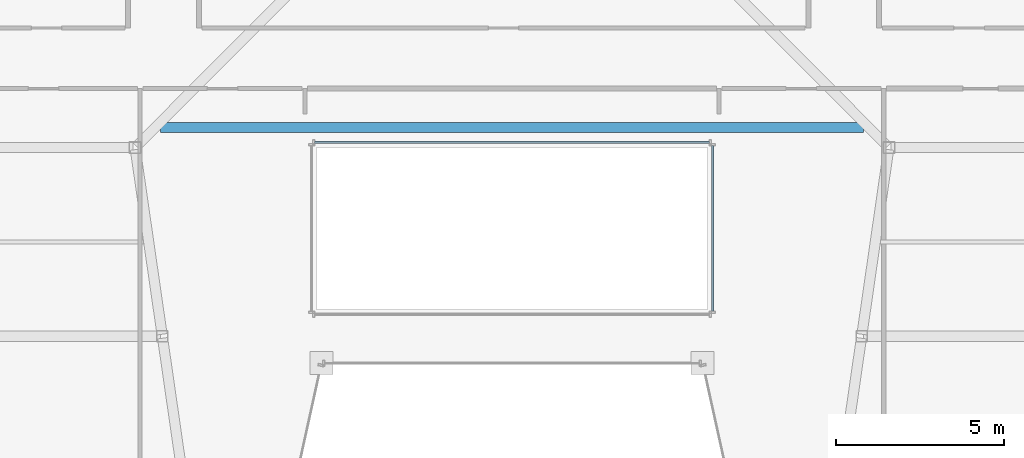
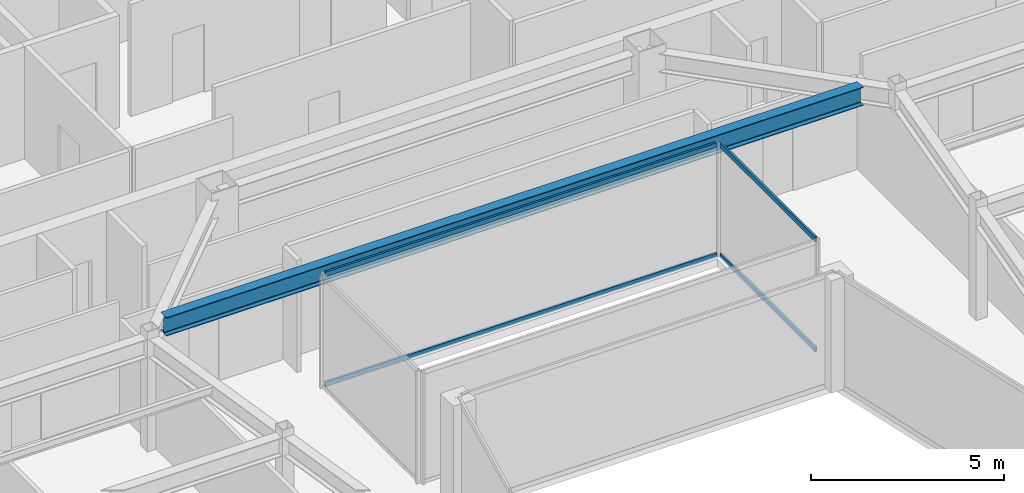
# One storey, part 10 of 32: 4 members, 1 beam, 2 elements without a shape of their own.
"""IFC4 building model written with IfcOpenShell, lengths in metres."""

from ifc_helpers import new_model, si_unit, direction, frame, origin, origin_2d, place, context, subcontext, project, spatial, hollow_rectangle, i_section, extrude, material, material_profile, profile_set, type_object, element, aggregate, save


model = new_model("IFC4")

# Units and contexts
model_context = context("Model", 3, precision=1e-05, world=origin(), true_north=direction((0.0, 1.0)))
body_context = subcontext(model_context, "Body", "Model", "MODEL_VIEW")
ifc_project = project(units=[si_unit("LENGTHUNIT", "METRE"), si_unit("AREAUNIT", "SQUARE_METRE"), si_unit("VOLUMEUNIT", "CUBIC_METRE"), si_unit("PLANEANGLEUNIT", "RADIAN"), si_unit("MASSUNIT", "GRAM", prefix="KILO")], contexts=[model_context])

# Site, building, storey
site_placement = place(None, origin())
site = spatial("IfcSite", under=ifc_project, at=site_placement, CompositionType="ELEMENT")
building_placement = place(site_placement, origin())
building = spatial("IfcBuilding", under=site, at=building_placement, Name="Saevonmaru Cultural Tower", CompositionType="ELEMENT")
storey_placement = place(building_placement, frame((0.0, 0.0, 242.0)))
storey = spatial("IfcBuildingStorey", under=building, at=storey_placement, Name="L56", CompositionType="ELEMENT", Elevation=242.0)

# Beam
ifc_material_1 = material(Name="Steel SM355", Category="steel")
ifc_material_profile_1 = material_profile(ifc_material_1, i_section(OverallWidth=0.300048828125, OverallDepth=0.587890625, WebThickness=0.011962890625, FlangeThickness=0.02001953125, FilletRadius=0.02392578125, at=origin_2d()), Name="H-588x300x12x20")
ifc_profile_set_1 = profile_set([ifc_material_profile_1], Name="Steel SM355")
beam_type = type_object("IfcBeamType", Name="BM-G-H588", PredefinedType="BEAM", material=ifc_profile_set_1)
beam_placement = place(storey_placement, frame((19.56494140625, 38.199951171875, 3.256103515625), z_axis=(1.0, 0.0, 0.0), x_axis=(0.0, 1.0, 0.0)))
element("IfcBeam", 1, at=beam_placement, inside=storey, type_object=beam_type, Name="L56 Central Link Girder", PredefinedType="BEAM", context=body_context, shape_type="SweptSolid", body=[
    extrude(i_section(OverallWidth=0.300048828125, OverallDepth=0.587890625, WebThickness=0.011962890625, FlangeThickness=0.02001953125, FilletRadius=0.02392578125, at=origin_2d()), origin(), (0.0, 0.0, 1.0), 20.8701171875),
])

# Curtain wall, members
ifc_material_2 = material(Name="Satin Bronze Anodised Aluminium", Category="aluminium")
curtain_wall_type = type_object("IfcCurtainWallType", Name="CW-ATR-GLZ", PredefinedType="NOTDEFINED", material=ifc_material_2)
curtain_wall_1_placement = place(storey_placement, origin())
curtain_wall_1 = element("IfcCurtainWall", 2, at=curtain_wall_1_placement, inside=storey, type_object=curtain_wall_type, Name="L56 Vertical Atrium Glazed Smoke Screen 2", PredefinedType="NOTDEFINED")
ifc_material_profile_2 = material_profile(ifc_material_2, hollow_rectangle(XDim=0.06494140625, YDim=0.14990234375, WallThickness=0.00390625, at=origin_2d()), Name="ALU-TRAN-150x65x4")
ifc_profile_set_2 = profile_set([ifc_material_profile_2], Name="Satin Bronze Anodised Aluminium")
member_type = type_object("IfcMemberType", Name="TR-CW-INT-150x65", PredefinedType="USERDEFINED", material=ifc_profile_set_2)
member_1_placement = place(storey_placement, frame((35.949951171875, 32.742431640625, 0.032470703125), z_axis=(0.0, 1.0, 0.0), x_axis=(-1.0, 0.0, 0.0)))
member_1 = element("IfcMember", 3, at=member_1_placement, type_object=member_type, Name="CW-ATR-L56-2 transom 1.1", ObjectType="TRANSOM", PredefinedType="USERDEFINED", context=body_context, shape_type="SweptSolid", body=[
    extrude(hollow_rectangle(XDim=0.06494140625, YDim=0.14990234375, WallThickness=0.00390625, at=origin_2d()), origin(), (0.0, 0.0, 1.0), 4.9150390625),
])
member_2_placement = place(storey_placement, frame((35.949951171875, 32.742431640625, 3.517578125), z_axis=(0.0, 1.0, 0.0), x_axis=(-1.0, 0.0, 0.0)))
member_2 = element("IfcMember", 4, at=member_2_placement, type_object=member_type, Name="CW-ATR-L56-2 transom 1.2", ObjectType="TRANSOM", PredefinedType="USERDEFINED", context=body_context, shape_type="SweptSolid", body=[
    extrude(hollow_rectangle(XDim=0.06494140625, YDim=0.14990234375, WallThickness=0.00390625, at=origin_2d()), origin(), (0.0, 0.0, 1.0), 4.9150390625),
])
aggregate(curtain_wall_1, [member_1, member_2])

curtain_wall_2_placement = place(storey_placement, origin())
curtain_wall_2 = element("IfcCurtainWall", 5, at=curtain_wall_2_placement, inside=storey, type_object=curtain_wall_type, Name="L56 Vertical Atrium Glazed Smoke Screen 3", PredefinedType="NOTDEFINED")
member_3_placement = place(storey_placement, frame((35.857421875, 37.75, 0.032470703125), z_axis=(-1.0, 0.0, 0.0), x_axis=(0.0, -1.0, 0.0)))
member_3 = element("IfcMember", 6, at=member_3_placement, type_object=member_type, Name="CW-ATR-L56-3 transom 1.1", ObjectType="TRANSOM", PredefinedType="USERDEFINED", context=body_context, shape_type="SweptSolid", body=[
    extrude(hollow_rectangle(XDim=0.06494140625, YDim=0.14990234375, WallThickness=0.00390625, at=origin_2d()), origin(), (0.0, 0.0, 1.0), 11.71484375),
])
member_4_placement = place(storey_placement, frame((35.857421875, 37.75, 3.517578125), z_axis=(-1.0, 0.0, 0.0), x_axis=(0.0, -1.0, 0.0)))
member_4 = element("IfcMember", 7, at=member_4_placement, type_object=member_type, Name="CW-ATR-L56-3 transom 1.2", ObjectType="TRANSOM", PredefinedType="USERDEFINED", context=body_context, shape_type="SweptSolid", body=[
    extrude(hollow_rectangle(XDim=0.06494140625, YDim=0.14990234375, WallThickness=0.00390625, at=origin_2d()), origin(), (0.0, 0.0, 1.0), 11.71484375),
])
aggregate(curtain_wall_2, [member_3, member_4])

save(model, "model.ifc")
